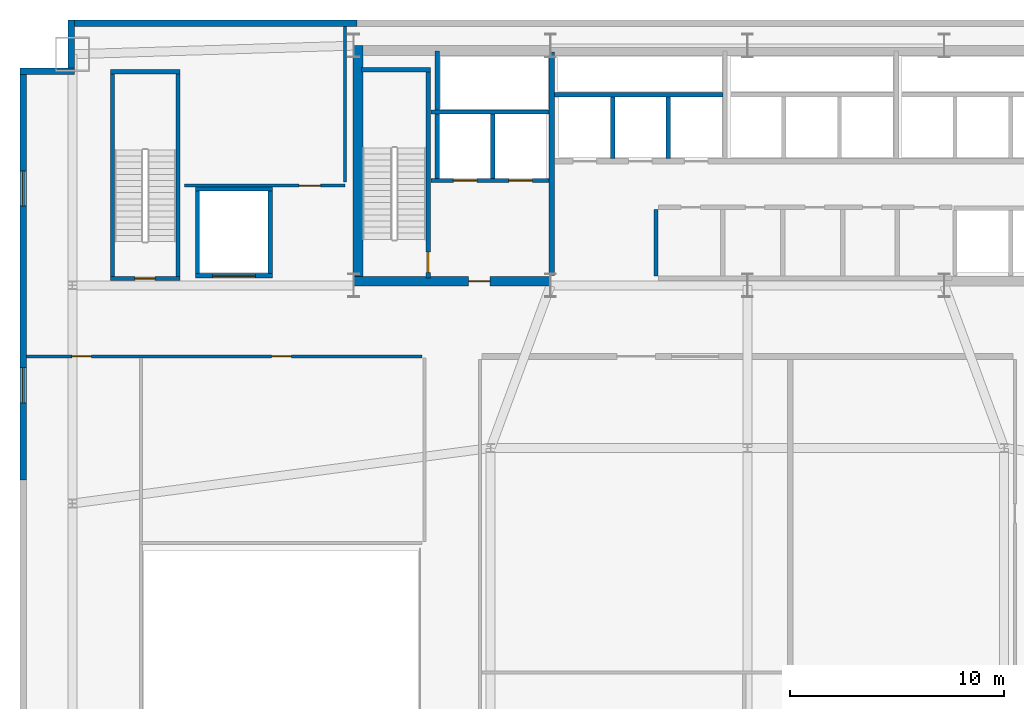
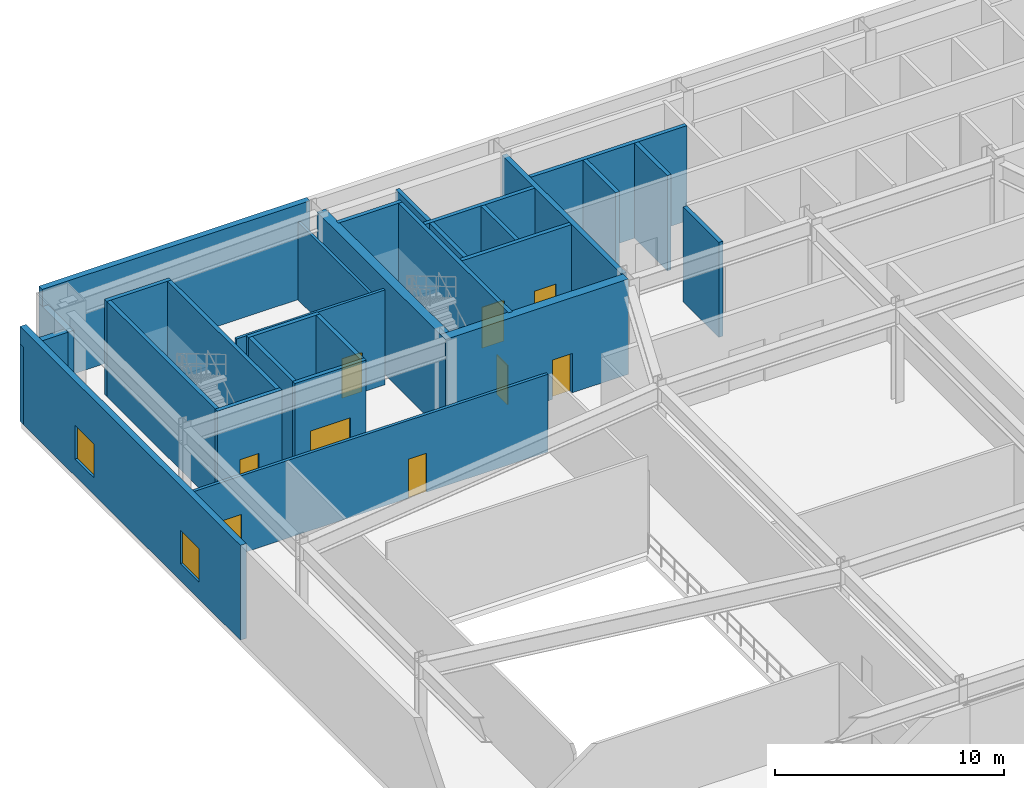
# One storey, part 9 of 13: 28 walls, 9 doors, 2 windows, 11 openings.
"""IFC4 building model written with IfcOpenShell, lengths in metres."""

from ifc_helpers import new_model, si_unit, direction, frame, frame_2d, origin, place, context, subcontext, project, spatial, rectangle, extrude, source, transform, mapped, material, layer, layer_set, type_object, type_shapes, element, fill, save


model = new_model("IFC4")

# Units and contexts
model_context = context("Model", 3, precision=1e-05, world=origin(), true_north=direction((0.0, 1.0)))
body_context = subcontext(model_context, "Body", "Model", "MODEL_VIEW")
ifc_project = project(units=[si_unit("LENGTHUNIT", "METRE"), si_unit("AREAUNIT", "SQUARE_METRE"), si_unit("VOLUMEUNIT", "CUBIC_METRE"), si_unit("PLANEANGLEUNIT", "RADIAN"), si_unit("MASSUNIT", "GRAM", prefix="KILO")], contexts=[model_context])

# Site, building, storey
site_placement = place(None, origin())
site = spatial("IfcSite", under=ifc_project, at=site_placement, CompositionType="ELEMENT")
building_placement = place(site_placement, origin())
building = spatial("IfcBuilding", under=site, at=building_placement, Name="Varnel Quay Broadcast Tower", CompositionType="ELEMENT")
storey_placement = place(building_placement, frame((0.0, 0.0, 16.800048828125)))
storey = spatial("IfcBuildingStorey", under=building, at=storey_placement, Name="L03", CompositionType="ELEMENT", Elevation=16.800048828125)

# Wall, opening, door
ifc_material_1 = material(Name="Concrete CSA A23.3 C50/60", Category="concrete")
ifc_layer_1 = layer(ifc_material_1, 0.199951171875, Name="Concrete CSA A23.3 C50/60")
ifc_layer_set_1 = layer_set([ifc_layer_1], Name="Concrete CSA A23.3 C50/60")
wall_type_1 = type_object("IfcWallType", Name="Wall_CoreShaftShear200", PredefinedType="SHEAR", material=ifc_layer_set_1)
wall_1_placement = place(storey_placement, frame((19.080078125, 35.949951171875, 0.0), z_axis=(0.0, 0.0, 1.0), x_axis=(0.0, 1.0, 0.0)))
wall_1 = element("IfcWall", 1, at=wall_1_placement, inside=storey, type_object=wall_type_1, Name="L03 Stair 1 East Structural Wall", PredefinedType="SHEAR", context=body_context, shape_type="SweptSolid", body=[
    extrude(rectangle(XDim=9.650146484375, YDim=0.199951171875, at=frame_2d((4.8251953125, 0.0))), origin(), (0.0, 0.0, 1.0), 5.079833984375),
])
opening_1_placement = place(wall_1_placement, frame((0.25, 0.0, 0.0)))
opening_1 = element("IfcOpeningElement", 2, at=opening_1_placement, cuts=wall_1, Name="Opening D-L03-S1", PredefinedType="OPENING", context=body_context, shape_type="SweptSolid", body=[
    extrude(rectangle(XDim=0.949951171875, YDim=2.10009765625, at=frame_2d((0.47509765625, 1.050048828125))), frame((0.0, 0.10986328125, 0.0), z_axis=(0.0, -1.0, 0.0), x_axis=(1.0, 0.0, 0.0)), (0.0, 0.0, 1.0), 0.219970703125),
])
ifc_material_2 = material(Name="Insulated Fire-Rated Hollow Steel Door", Category="steel")
door_type_1 = type_object("IfcDoorType", Name="Door_FireStair950", OperationType="NOTDEFINED", PredefinedType="DOOR", material=ifc_material_2)
shared_shape_1 = source(origin(), body_context, "Body", "SweptSolid", [
    extrude(rectangle(XDim=0.949951171875, YDim=2.10009765625, at=frame_2d((0.47509765625, 1.050048828125))), frame((0.0, 0.02490234375, 0.0), z_axis=(0.0, -1.0, 0.0), x_axis=(1.0, 0.0, 0.0)), (0.0, 0.0, 1.0), 0.050048828125),
])
type_shapes(door_type_1, [shared_shape_1])
door_1_placement = place(opening_1_placement, origin())
door_1 = element("IfcDoor", 3, at=door_1_placement, inside=storey, type_object=door_type_1, Name="L03 Stair 1 Fire Door", OperationType="SINGLE_SWING_RIGHT", OverallHeight=2.10009765625, OverallWidth=0.949951171875, PredefinedType="DOOR", context=body_context, shape_type="MappedRepresentation", body=[
    mapped(shared_shape_1, transform((0.0, 0.0, 0.0), x_axis=(1.0, 0.0, 0.0), y_axis=(0.0, 1.0, 0.0), z_axis=(0.0, 0.0, 1.0), scale=1.0)),
])
fill(opening_1, door_1)

# Wall
wall_2_placement = place(storey_placement, frame((15.949951171875, 45.679931640625, 0.0), z_axis=(0.0, 0.0, 1.0), x_axis=(1.0, 0.0, 0.0)))
element("IfcWall", 4, at=wall_2_placement, inside=storey, type_object=wall_type_1, Name="L03 Stair 1 North Structural Wall", PredefinedType="SHEAR", context=body_context, shape_type="SweptSolid", body=[
    extrude(rectangle(XDim=3.22998046875, YDim=0.199951171875, at=frame_2d((1.614990234375, 0.0))), origin(), (0.0, 0.0, 1.0), 5.079833984375),
])

# Wall, openings, doors
wall_3_placement = place(storey_placement, frame((19.199951171875, 40.5, 0.0), z_axis=(0.0, 0.0, 1.0), x_axis=(1.0, 0.0, 0.0)))
wall_3 = element("IfcWall", 5, at=wall_3_placement, inside=storey, type_object=wall_type_1, Name="L03 Firefighter Lift Shaft Front Wall", PredefinedType="SHEAR", context=body_context, shape_type="SweptSolid", body=[
    extrude(rectangle(XDim=5.52001953125, YDim=0.199951171875, at=frame_2d((2.760009765625, 0.0))), origin(), (0.0, 0.0, 1.0), 5.079833984375),
])
opening_2_placement = place(wall_3_placement, frame((1.050048828125, 0.0, 0.0)))
opening_2 = element("IfcOpeningElement", 6, at=opening_2_placement, cuts=wall_3, Name="Opening LD-L03-FE1", PredefinedType="OPENING", context=body_context, shape_type="SweptSolid", body=[
    extrude(rectangle(XDim=1.10009765625, YDim=2.179931640625, at=frame_2d((0.550048828125, 1.08984375))), frame((0.0, 0.10986328125, 0.0), z_axis=(0.0, -1.0, 0.0), x_axis=(1.0, 0.0, 0.0)), (0.0, 0.0, 1.0), 0.219970703125),
])
opening_3_placement = place(wall_3_placement, frame((3.64990234375, 0.0, 0.0)))
opening_3 = element("IfcOpeningElement", 7, at=opening_3_placement, cuts=wall_3, Name="Opening LD-L03-FE2", PredefinedType="OPENING", context=body_context, shape_type="SweptSolid", body=[
    extrude(rectangle(XDim=1.10009765625, YDim=2.179931640625, at=frame_2d((0.550048828125, 1.08984375))), frame((0.0, 0.10986328125, 0.0), z_axis=(0.0, -1.0, 0.0), x_axis=(1.0, 0.0, 0.0)), (0.0, 0.0, 1.0), 0.219970703125),
])
ifc_material_3 = material(Name="Brushed Bronze-Stainless Lift Car & Sliding Doors", Category="steel")
door_type_2 = type_object("IfcDoorType", Name="Door_LiftLanding1100", OperationType="SLIDING_TO_LEFT", PredefinedType="DOOR", material=ifc_material_3)
shared_shape_2 = source(origin(), body_context, "Body", "SweptSolid", [
    extrude(rectangle(XDim=1.10009765625, YDim=2.179931640625, at=frame_2d((0.550048828125, 1.08984375))), frame((0.0, 0.02490234375, 0.0), z_axis=(0.0, -1.0, 0.0), x_axis=(1.0, 0.0, 0.0)), (0.0, 0.0, 1.0), 0.050048828125),
])
type_shapes(door_type_2, [shared_shape_2])
door_2_placement = place(opening_2_placement, frame((1.10009765625, 0.0, 0.0), z_axis=(0.0, 0.0, 1.0), x_axis=(-1.0, 0.0, 0.0)))
door_2 = element("IfcDoor", 8, at=door_2_placement, inside=storey, type_object=door_type_2, Name="L03 Firefighter Lift FE-01 Landing Door", OperationType="SLIDING_TO_LEFT", OverallHeight=2.179931640625, OverallWidth=1.10009765625, PredefinedType="DOOR", context=body_context, shape_type="MappedRepresentation", body=[
    mapped(shared_shape_2, transform((0.0, 0.0, 0.0), x_axis=(1.0, 0.0, 0.0), y_axis=(0.0, 1.0, 0.0), z_axis=(0.0, 0.0, 1.0), scale=1.0)),
])
fill(opening_2, door_2)
door_3_placement = place(opening_3_placement, frame((1.10009765625, 0.0, 0.0), z_axis=(0.0, 0.0, 1.0), x_axis=(-1.0, 0.0, 0.0)))
door_3 = element("IfcDoor", 9, at=door_3_placement, inside=storey, type_object=door_type_2, Name="L03 Firefighter Lift FE-02 Landing Door", OperationType="SLIDING_TO_RIGHT", OverallHeight=2.179931640625, OverallWidth=1.10009765625, PredefinedType="DOOR", context=body_context, shape_type="MappedRepresentation", body=[
    mapped(shared_shape_2, transform((0.0, 0.0, 0.0), x_axis=(1.0, 0.0, 0.0), y_axis=(0.0, 1.0, 0.0), z_axis=(0.0, 0.0, 1.0), scale=1.0)),
])
fill(opening_3, door_3)

# Walls
wall_4_placement = place(storey_placement, frame((19.199951171875, 43.699951171875, 0.0), z_axis=(0.0, 0.0, 1.0), x_axis=(1.0, 0.0, 0.0)))
element("IfcWall", 10, at=wall_4_placement, inside=storey, type_object=wall_type_1, Name="L03 Firefighter Lift Shaft Rear Wall", PredefinedType="SHEAR", context=body_context, shape_type="SweptSolid", body=[
    extrude(rectangle(XDim=5.52001953125, YDim=0.199951171875, at=frame_2d((2.760009765625, 0.0))), origin(), (0.0, 0.0, 1.0), 5.079833984375),
])
wall_5_placement = place(storey_placement, frame((22.10009765625, 40.60009765625, 0.0), z_axis=(0.0, 0.0, 1.0), x_axis=(0.0, 1.0, 0.0)))
element("IfcWall", 11, at=wall_5_placement, inside=storey, type_object=wall_type_1, Name="L03 Firefighter Lift Shaft Divider", PredefinedType="SHEAR", context=body_context, shape_type="SweptSolid", body=[
    extrude(rectangle(XDim=3.0, YDim=0.199951171875, at=frame_2d((1.5, 0.0))), origin(), (0.0, 0.0, 1.0), 5.079833984375),
])
wall_6_placement = place(storey_placement, frame((19.5, 40.60009765625, 0.0), z_axis=(0.0, 0.0, 1.0), x_axis=(0.0, 1.0, 0.0)))
element("IfcWall", 12, at=wall_6_placement, inside=storey, type_object=wall_type_1, Name="L03 Firefighter Lift Shaft West Wall", PredefinedType="SHEAR", context=body_context, shape_type="SweptSolid", body=[
    extrude(rectangle(XDim=5.949951171875, YDim=0.199951171875, at=frame_2d((2.97509765625, 0.0))), origin(), (0.0, 0.0, 1.0), 5.079833984375),
])
wall_7_placement = place(storey_placement, frame((24.97998046875, 44.5, 0.0), z_axis=(0.0, 0.0, 1.0), x_axis=(1.0, 0.0, 0.0)))
element("IfcWall", 13, at=wall_7_placement, inside=storey, type_object=wall_type_1, Name="L03 Low-Rise Lift Shaft Rear Wall", PredefinedType="SHEAR", context=body_context, shape_type="SweptSolid", body=[
    extrude(rectangle(XDim=7.8701171875, YDim=0.199951171875, at=frame_2d((3.93505859375, 0.0))), origin(), (0.0, 0.0, 1.0), 5.079833984375),
])
for number, where, z_axis, x_axis, name in (
    (14, (27.699951171875, 41.530029296875, 0.0), (0.0, 0.0, 1.0), (0.0, 1.0, 0.0), "L03 Low-Rise Lift Shaft Divider 1"),
    (15, (30.300048828125, 41.530029296875, 0.0), (0.0, 0.0, 1.0), (0.0, 1.0, 0.0), "L03 Low-Rise Lift Shaft Divider 2"),
):
    element("IfcWall", number, at=place(storey_placement, frame(where, z_axis=z_axis, x_axis=x_axis)), inside=storey, type_object=wall_type_1, Name=name, PredefinedType="SHEAR", context=body_context, shape_type="SweptSolid", body=[
        extrude(rectangle(XDim=2.869873046875, YDim=0.199951171875, at=frame_2d((1.43505859375, 0.0))), origin(), (0.0, 0.0, 1.0), 5.079833984375),
    ])
for number, where, z_axis, x_axis, name in (
    (16, (4.320068359375, 36.0, 0.0), (0.0, 0.0, 1.0), (0.0, 1.0, 0.0), "L03 Podium Stair 3 W Structural Wall"),
    (17, (7.3798828125, 36.0, 0.0), (0.0, 0.0, 1.0), (0.0, 1.0, 0.0), "L03 Podium Stair 3 E Structural Wall"),
):
    element("IfcWall", number, at=place(storey_placement, frame(where, z_axis=z_axis, x_axis=x_axis)), inside=storey, type_object=wall_type_1, Name=name, PredefinedType="SHEAR", context=body_context, shape_type="SweptSolid", body=[
        extrude(rectangle(XDim=9.60009765625, YDim=0.199951171875, at=frame_2d((4.800048828125, 0.0))), origin(), (0.0, 0.0, 1.0), 5.079833984375),
    ])
wall_8_placement = place(storey_placement, frame((4.219970703125, 45.580078125, 0.0), z_axis=(0.0, 0.0, 1.0), x_axis=(1.0, 0.0, 0.0)))
element("IfcWall", 18, at=wall_8_placement, inside=storey, type_object=wall_type_1, Name="L03 Podium Stair 3 N Structural Wall", PredefinedType="SHEAR", context=body_context, shape_type="SweptSolid", body=[
    extrude(rectangle(XDim=3.260009765625, YDim=0.199951171875, at=frame_2d((1.6298828125, 0.0))), origin(), (0.0, 0.0, 1.0), 5.079833984375),
])

# Wall, opening, door
wall_9_placement = place(storey_placement, frame((4.219970703125, 35.919921875, 0.0), z_axis=(0.0, 0.0, 1.0), x_axis=(1.0, 0.0, 0.0)))
wall_9 = element("IfcWall", 19, at=wall_9_placement, inside=storey, type_object=wall_type_1, Name="L03 Podium Stair 3 South Structural Wall", PredefinedType="SHEAR", context=body_context, shape_type="SweptSolid", body=[
    extrude(rectangle(XDim=3.260009765625, YDim=0.199951171875, at=frame_2d((1.6298828125, 0.0))), origin(), (0.0, 0.0, 1.0), 5.079833984375),
])
opening_4_placement = place(wall_9_placement, frame((1.14990234375, 0.0, 0.0)))
opening_4 = element("IfcOpeningElement", 20, at=opening_4_placement, cuts=wall_9, Name="Opening D-L03-S3", PredefinedType="OPENING", context=body_context, shape_type="SweptSolid", body=[
    extrude(rectangle(XDim=0.949951171875, YDim=2.10009765625, at=frame_2d((0.47509765625, 1.050048828125))), frame((0.0, 0.10986328125, 0.0), z_axis=(0.0, -1.0, 0.0), x_axis=(1.0, 0.0, 0.0)), (0.0, 0.0, 1.0), 0.219970703125),
])
door_4_placement = place(opening_4_placement, origin())
door_4 = element("IfcDoor", 21, at=door_4_placement, inside=storey, type_object=door_type_1, Name="L03 Podium Stair 3 Fire Door", OperationType="SINGLE_SWING_LEFT", OverallHeight=2.10009765625, OverallWidth=0.949951171875, PredefinedType="DOOR", context=body_context, shape_type="MappedRepresentation", body=[
    mapped(shared_shape_1, transform((0.0, 0.0, 0.0), x_axis=(1.0, 0.0, 0.0), y_axis=(0.0, 1.0, 0.0), z_axis=(0.0, 0.0, 1.0), scale=1.0)),
])
fill(opening_4, door_4)

# Walls
for number, where, z_axis, x_axis, name in (
    (22, (8.300048828125, 36.14990234375, 0.0), (0.0, 0.0, 1.0), (0.0, 1.0, 0.0), "L03 Freight Lift Shaft W Wall"),
    (23, (11.699951171875, 36.14990234375, 0.0), (0.0, 0.0, 1.0), (0.0, 1.0, 0.0), "L03 Freight Lift Shaft E Wall"),
):
    element("IfcWall", number, at=place(storey_placement, frame(where, z_axis=z_axis, x_axis=x_axis)), inside=storey, type_object=wall_type_1, Name=name, PredefinedType="SHEAR", context=body_context, shape_type="SweptSolid", body=[
        extrude(rectangle(XDim=3.85009765625, YDim=0.199951171875, at=frame_2d((1.925048828125, 0.0))), origin(), (0.0, 0.0, 1.0), 5.079833984375),
    ])
wall_10_placement = place(storey_placement, frame((8.199951171875, 40.10009765625, 0.0), z_axis=(0.0, 0.0, 1.0), x_axis=(1.0, 0.0, 0.0)))
element("IfcWall", 24, at=wall_10_placement, inside=storey, type_object=wall_type_1, Name="L03 Freight Lift Shaft N Wall", PredefinedType="SHEAR", context=body_context, shape_type="SweptSolid", body=[
    extrude(rectangle(XDim=3.60009765625, YDim=0.199951171875, at=frame_2d((1.800048828125, 0.0))), origin(), (0.0, 0.0, 1.0), 5.079833984375),
])

# Wall, opening, door
wall_11_placement = place(storey_placement, frame((8.199951171875, 36.050048828125, 0.0), z_axis=(0.0, 0.0, 1.0), x_axis=(1.0, 0.0, 0.0)))
wall_11 = element("IfcWall", 25, at=wall_11_placement, inside=storey, type_object=wall_type_1, Name="L03 Studio Freight Lift Front Wall", PredefinedType="SHEAR", context=body_context, shape_type="SweptSolid", body=[
    extrude(rectangle(XDim=3.60009765625, YDim=0.199951171875, at=frame_2d((1.800048828125, 0.0))), origin(), (0.0, 0.0, 1.0), 5.079833984375),
])
opening_5_placement = place(wall_11_placement, frame((0.800048828125, 0.0, 0.0)))
opening_5 = element("IfcOpeningElement", 26, at=opening_5_placement, cuts=wall_11, Name="Opening LD-L03-BF1", PredefinedType="OPENING", context=body_context, shape_type="SweptSolid", body=[
    extrude(rectangle(XDim=2.0, YDim=2.280029296875, at=frame_2d((1.0, 1.14013671875))), frame((0.0, 0.10986328125, 0.0), z_axis=(0.0, -1.0, 0.0), x_axis=(1.0, 0.0, 0.0)), (0.0, 0.0, 1.0), 0.219970703125),
])
door_type_3 = type_object("IfcDoorType", Name="Door_FreightLanding2000", OperationType="DOUBLE_DOOR_SLIDING", PredefinedType="DOOR", material=ifc_material_3)
shared_shape_3 = source(origin(), body_context, "Body", "SweptSolid", [
    extrude(rectangle(XDim=2.0, YDim=2.280029296875, at=frame_2d((1.0, 1.14013671875))), frame((0.0, 0.02490234375, 0.0), z_axis=(0.0, -1.0, 0.0), x_axis=(1.0, 0.0, 0.0)), (0.0, 0.0, 1.0), 0.050048828125),
])
type_shapes(door_type_3, [shared_shape_3])
door_5_placement = place(opening_5_placement, frame((2.0, 0.0, 0.0), z_axis=(0.0, 0.0, 1.0), x_axis=(-1.0, 0.0, 0.0)))
door_5 = element("IfcDoor", 27, at=door_5_placement, inside=storey, type_object=door_type_3, Name="L03 Freight Lift BF-01 Landing Door", OperationType="DOUBLE_DOOR_SLIDING", OverallHeight=2.280029296875, OverallWidth=2.0, PredefinedType="DOOR", context=body_context, shape_type="MappedRepresentation", body=[
    mapped(shared_shape_3, transform((0.0, 0.0, 0.0), x_axis=(1.0, 0.0, 0.0), y_axis=(0.0, 1.0, 0.0), z_axis=(0.0, 0.0, 1.0), scale=1.0)),
])
fill(opening_5, door_5)

# Walls
ifc_layer_2 = layer(ifc_material_1, 0.25, Name="Concrete CSA A23.3 C50/60")
ifc_layer_set_2 = layer_set([ifc_layer_2], Name="Concrete CSA A23.3 C50/60")
wall_type_2 = type_object("IfcWallType", Name="Wall_CoreShaftShear250", PredefinedType="SHEAR", material=ifc_layer_set_2)
wall_12_placement = place(storey_placement, frame((24.85009765625, 36.050048828125, 0.0), z_axis=(0.0, 0.0, 1.0), x_axis=(0.0, 1.0, 0.0)))
element("IfcWall", 28, at=wall_12_placement, inside=storey, type_object=wall_type_2, Name="L03 Firefighting Lobby East Structural Wall", PredefinedType="SHEAR", context=body_context, shape_type="SweptSolid", body=[
    extrude(rectangle(XDim=10.449951171875, YDim=0.25, at=frame_2d((5.22509765625, 0.0))), origin(), (0.0, 0.0, 1.0), 5.079833984375),
])
ifc_material_4 = material(Name="Concrete CSA A23.3 C60/75", Category="concrete")
ifc_layer_3 = layer(ifc_material_4, 0.449951171875, Name="Concrete CSA A23.3 C60/75")
ifc_layer_set_3 = layer_set([ifc_layer_3], Name="Concrete CSA A23.3 C60/75")
wall_type_3 = type_object("IfcWallType", Name="Wall_CoreShearInt450", PredefinedType="SHEAR", material=ifc_layer_set_3)
wall_13_placement = place(storey_placement, frame((15.794921875, 35.570068359375, 0.0), z_axis=(0.0, 0.0, 1.0), x_axis=(0.0, 1.0, 0.0)))
element("IfcWall", 29, at=wall_13_placement, inside=storey, type_object=wall_type_3, Name="L03 West Core Shear Wall", PredefinedType="SHEAR", context=body_context, shape_type="SweptSolid", body=[
    extrude(rectangle(XDim=11.22998046875, YDim=0.449951171875, at=frame_2d((5.614990234375, 0.0))), origin(), (0.0, 0.0, 1.0), 5.079833984375),
])

# Wall, opening, door
wall_14_placement = place(storey_placement, frame((15.570068359375, 35.794921875, 0.0), z_axis=(0.0, 0.0, 1.0), x_axis=(1.0, 0.0, 0.0)))
wall_14 = element("IfcWall", 30, at=wall_14_placement, inside=storey, type_object=wall_type_3, Name="L03 South-West Core Shear Wall", PredefinedType="SHEAR", context=body_context, shape_type="SweptSolid", body=[
    extrude(rectangle(XDim=9.22998046875, YDim=0.449951171875, at=frame_2d((4.614990234375, 0.0))), origin(), (0.0, 0.0, 1.0), 5.079833984375),
])
opening_6_placement = place(wall_14_placement, frame((5.39990234375, 0.0, 0.0)))
opening_6 = element("IfcOpeningElement", 31, at=opening_6_placement, cuts=wall_14, Name="Opening D-L03-FFL", PredefinedType="OPENING", context=body_context, shape_type="SweptSolid", body=[
    extrude(rectangle(XDim=1.0, YDim=2.10009765625, at=frame_2d((0.5, 1.050048828125))), frame((0.0, 0.23486328125, 0.0), z_axis=(0.0, -1.0, 0.0), x_axis=(1.0, 0.0, 0.0)), (0.0, 0.0, 1.0), 0.469970703125),
])
door_type_4 = type_object("IfcDoorType", Name="Door_FireLobby1000", OperationType="NOTDEFINED", PredefinedType="DOOR", material=ifc_material_2)
shared_shape_4 = source(origin(), body_context, "Body", "SweptSolid", [
    extrude(rectangle(XDim=1.0, YDim=2.10009765625, at=frame_2d((0.5, 1.050048828125))), frame((0.0, 0.02490234375, 0.0), z_axis=(0.0, -1.0, 0.0), x_axis=(1.0, 0.0, 0.0)), (0.0, 0.0, 1.0), 0.050048828125),
])
type_shapes(door_type_4, [shared_shape_4])
door_6_placement = place(opening_6_placement, origin())
door_6 = element("IfcDoor", 32, at=door_6_placement, inside=storey, type_object=door_type_4, Name="L03 Firefighting Lobby Door", OperationType="SINGLE_SWING_LEFT", OverallHeight=2.10009765625, OverallWidth=1.0, PredefinedType="DOOR", context=body_context, shape_type="MappedRepresentation", body=[
    mapped(shared_shape_4, transform((0.0, 0.0, 0.0), x_axis=(1.0, 0.0, 0.0), y_axis=(0.0, 1.0, 0.0), z_axis=(0.0, 0.0, 1.0), scale=1.0)),
])
fill(opening_6, door_6)

# Wall
ifc_material_5 = material(Name="Precast Architectural Concrete C40/50", Category="concrete")
ifc_layer_4 = layer(ifc_material_5, 0.300048828125, Name="Precast Architectural Concrete C40/50")
ifc_layer_set_4 = layer_set([ifc_layer_4], Name="Precast Architectural Concrete C40/50")
wall_type_4 = type_object("IfcWallType", Name="Wall_ExtPodium300", PredefinedType="SOLIDWALL", material=ifc_layer_set_4)
wall_15_placement = place(storey_placement, frame((2.25, 47.85009765625, 0.0), z_axis=(0.0, 0.0, 1.0), x_axis=(1.0, 0.0, 0.0)))
element("IfcWall", 33, at=wall_15_placement, inside=storey, type_object=wall_type_4, Name="L03 North Podium Exterior Wall NW", PredefinedType="SOLIDWALL", context=body_context, shape_type="SweptSolid", body=[
    extrude(rectangle(XDim=13.5, YDim=0.300048828125, at=frame_2d((6.75, 0.0))), origin(), (0.0, 0.0, 1.0), 5.06005859375),
])

# Wall, openings, windows
wall_16_placement = place(storey_placement, frame((0.14990234375, 26.5, 0.0), z_axis=(0.0, 0.0, 1.0), x_axis=(0.0, 1.0, 0.0)))
wall_16 = element("IfcWall", 34, at=wall_16_placement, inside=storey, type_object=wall_type_4, Name="L03 Podium Acoustic Exterior Wall W2", PredefinedType="SOLIDWALL", context=body_context, shape_type="SweptSolid", body=[
    extrude(rectangle(XDim=19.25, YDim=0.300048828125, at=frame_2d((9.625, 0.0))), origin(), (0.0, 0.0, 1.0), 5.06005859375),
])
opening_7_placement = place(wall_16_placement, frame((3.60009765625, 0.0, 0.89990234375)))
opening_7 = element("IfcOpeningElement", 35, at=opening_7_placement, cuts=wall_16, Name="Opening W-05", PredefinedType="OPENING", context=body_context, shape_type="SweptSolid", body=[
    extrude(rectangle(XDim=1.64990234375, YDim=1.800048828125, at=frame_2d((0.824951171875, 0.89990234375))), frame((0.0, 0.16015625, 0.0), z_axis=(0.0, -1.0, 0.0), x_axis=(1.0, 0.0, 0.0)), (0.0, 0.0, 1.0), 0.320068359375),
])
opening_8_placement = place(wall_16_placement, frame((12.800048828125, 0.0, 0.89990234375)))
opening_8 = element("IfcOpeningElement", 36, at=opening_8_placement, cuts=wall_16, Name="Opening W-05", PredefinedType="OPENING", context=body_context, shape_type="SweptSolid", body=[
    extrude(rectangle(XDim=1.64990234375, YDim=1.800048828125, at=frame_2d((0.824951171875, 0.89990234375))), frame((0.0, 0.16015625, 0.0), z_axis=(0.0, -1.0, 0.0), x_axis=(1.0, 0.0, 0.0)), (0.0, 0.0, 1.0), 0.320068359375),
])
ifc_material_6 = material(Name="Triple-Glazed Bronze Low-E Architectural Glass", Category="glass")
window_type = type_object("IfcWindowType", Name="Win_PodiumStudio1650", PartitioningType="SINGLE_PANEL", PredefinedType="WINDOW", material=ifc_material_6)
shared_shape_5 = source(origin(), body_context, "Body", "SweptSolid", [
    extrude(rectangle(XDim=1.64990234375, YDim=1.800048828125, at=frame_2d((0.824951171875, 0.89990234375))), frame((0.0, 0.030029296875, 0.0), z_axis=(0.0, -1.0, 0.0), x_axis=(1.0, 0.0, 0.0)), (0.0, 0.0, 1.0), 0.06005859375),
])
type_shapes(window_type, [shared_shape_5])
window_1_placement = place(opening_7_placement, origin())
window_1 = element("IfcWindow", 37, at=window_1_placement, inside=storey, type_object=window_type, Name="L03 Podium Window W2-1", OverallHeight=1.800048828125, OverallWidth=1.64990234375, PartitioningType="SINGLE_PANEL", PredefinedType="WINDOW", context=body_context, shape_type="MappedRepresentation", body=[
    mapped(shared_shape_5, transform((0.0, 0.0, 0.0), x_axis=(1.0, 0.0, 0.0), y_axis=(0.0, 1.0, 0.0), z_axis=(0.0, 0.0, 1.0), scale=1.0)),
])
fill(opening_7, window_1)
window_2_placement = place(opening_8_placement, origin())
window_2 = element("IfcWindow", 38, at=window_2_placement, inside=storey, type_object=window_type, Name="L03 Podium Window W2-2", OverallHeight=1.800048828125, OverallWidth=1.64990234375, PartitioningType="SINGLE_PANEL", PredefinedType="WINDOW", context=body_context, shape_type="MappedRepresentation", body=[
    mapped(shared_shape_5, transform((0.0, 0.0, 0.0), x_axis=(1.0, 0.0, 0.0), y_axis=(0.0, 1.0, 0.0), z_axis=(0.0, 0.0, 1.0), scale=1.0)),
])
fill(opening_8, window_2)

# Walls
for number, where, z_axis, x_axis, name in (
    (39, (0.0, 45.60009765625, 0.0), (0.0, 0.0, 1.0), (1.0, 0.0, 0.0), "L03 Podium Acoustic Exterior Wall NNW1"),
    (40, (2.39990234375, 45.449951171875, 0.0), (0.0, 0.0, 1.0), (0.0, 1.0, 0.0), "L03 Podium Acoustic Exterior Wall NNW2"),
):
    element("IfcWall", number, at=place(storey_placement, frame(where, z_axis=z_axis, x_axis=x_axis)), inside=storey, type_object=wall_type_4, Name=name, PredefinedType="SOLIDWALL", context=body_context, shape_type="SweptSolid", body=[
        extrude(rectangle(XDim=2.550048828125, YDim=0.300048828125, at=frame_2d((1.27490234375, 0.0))), origin(), (0.0, 0.0, 1.0), 4.14306640625),
    ])

# Wall, opening, door
ifc_material_7 = material(Name="Steel-Stud Fire-Rated Acoustic Gypsum Partition Assembly", Category="steel")
ifc_layer_5 = layer(ifc_material_7, 0.139892578125, Name="Steel-Stud Fire-Rated Acoustic Gypsum Partition Assembly")
ifc_layer_set_5 = layer_set([ifc_layer_5], Name="Steel-Stud Fire-Rated Acoustic Gypsum Partition Assembly")
wall_type_5 = type_object("IfcWallType", Name="Wall_Partition140", PredefinedType="PARTITIONING", material=ifc_layer_set_5)
wall_17_placement = place(storey_placement, frame((7.699951171875, 40.260009765625, 0.0), z_axis=(0.0, 0.0, 1.0), x_axis=(1.0, 0.0, 0.0)))
wall_17 = element("IfcWall", 41, at=wall_17_placement, inside=storey, type_object=wall_type_5, Name="L03 North-West Cast Green Lounge Partition 28", PredefinedType="PARTITIONING", context=body_context, shape_type="SweptSolid", body=[
    extrude(rectangle(XDim=7.5, YDim=0.139892578125, at=frame_2d((3.75, 0.0))), origin(), (0.0, 0.0, 1.0), 5.06005859375),
])
opening_9_placement = place(wall_17_placement, frame((5.35009765625, 0.0, 0.0)))
opening_9 = element("IfcOpeningElement", 42, at=opening_9_placement, cuts=wall_17, Name="Opening D-L03-16", PredefinedType="OPENING", context=body_context, shape_type="SweptSolid", body=[
    extrude(rectangle(XDim=1.0, YDim=2.10009765625, at=frame_2d((0.5, 1.050048828125))), frame((0.0, 0.080078125, 0.0), z_axis=(0.0, -1.0, 0.0), x_axis=(1.0, 0.0, 0.0)), (0.0, 0.0, 1.0), 0.159912109375),
])
ifc_material_8 = material(Name="Solid-Core Fire-Rated Acoustic Oak Veneer Door", Category="wood")
door_type_5 = type_object("IfcDoorType", Name="Door_Exec1000", OperationType="NOTDEFINED", PredefinedType="DOOR", material=ifc_material_8)
shared_shape_6 = source(origin(), body_context, "Body", "SweptSolid", [
    extrude(rectangle(XDim=1.0, YDim=2.10009765625, at=frame_2d((0.5, 1.050048828125))), frame((0.0, 0.02490234375, 0.0), z_axis=(0.0, -1.0, 0.0), x_axis=(1.0, 0.0, 0.0)), (0.0, 0.0, 1.0), 0.050048828125),
])
type_shapes(door_type_5, [shared_shape_6])
door_7_placement = place(opening_9_placement, origin())
door_7 = element("IfcDoor", 43, at=door_7_placement, inside=storey, type_object=door_type_5, Name="L03 North-West Cast Green Lounge Door D-L03-16", OperationType="SINGLE_SWING_RIGHT", OverallHeight=2.10009765625, OverallWidth=1.0, PredefinedType="DOOR", context=body_context, shape_type="MappedRepresentation", body=[
    mapped(shared_shape_6, transform((0.0, 0.0, 0.0), x_axis=(1.0, 0.0, 0.0), y_axis=(0.0, 1.0, 0.0), z_axis=(0.0, 0.0, 1.0), scale=1.0)),
])
fill(opening_9, door_7)

# Wall
wall_18_placement = place(storey_placement, frame((15.199951171875, 40.419921875, 0.0), z_axis=(0.0, 0.0, 1.0), x_axis=(0.0, 1.0, 0.0)))
element("IfcWall", 44, at=wall_18_placement, inside=storey, type_object=wall_type_5, Name="L03 North-West Cast Green Lounge Partition 29", PredefinedType="PARTITIONING", context=body_context, shape_type="SweptSolid", body=[
    extrude(rectangle(XDim=7.27001953125, YDim=0.139892578125, at=frame_2d((3.635009765625, 0.0))), origin(), (0.0, 0.0, 1.0), 4.14306640625),
])

# Wall, openings, doors
ifc_layer_6 = layer(ifc_material_7, 0.14990234375, Name="Steel-Stud Fire-Rated Acoustic Gypsum Partition Assembly")
ifc_layer_set_6 = layer_set([ifc_layer_6], Name="Steel-Stud Fire-Rated Acoustic Gypsum Partition Assembly")
wall_type_6 = type_object("IfcWallType", Name="Wall_Partition150", PredefinedType="PARTITIONING", material=ifc_layer_set_6)
wall_19_placement = place(storey_placement, frame((0.31005859375, 32.27490234375, 0.0), z_axis=(0.0, 0.0, 1.0), x_axis=(1.0, 0.0, 0.0)))
wall_19 = element("IfcWall", 45, at=wall_19_placement, inside=storey, type_object=wall_type_6, Name="L03 North-West Foley Control Office Partition 22", PredefinedType="PARTITIONING", context=body_context, shape_type="SweptSolid", body=[
    extrude(rectangle(XDim=18.489990234375, YDim=0.14990234375, at=frame_2d((9.2451171875, 0.0))), origin(), (0.0, 0.0, 1.0), 4.14306640625),
])
opening_10_placement = place(wall_19_placement, frame((11.455078125, 0.0, 0.0)))
opening_10 = element("IfcOpeningElement", 46, at=opening_10_placement, cuts=wall_19, Name="Opening D-L03-12", PredefinedType="OPENING", context=body_context, shape_type="SweptSolid", body=[
    extrude(rectangle(XDim=0.919921875, YDim=2.080078125, at=frame_2d((0.4599609375, 1.0400390625))), frame((0.0, 0.0849609375, 0.0), z_axis=(0.0, -1.0, 0.0), x_axis=(1.0, 0.0, 0.0)), (0.0, 0.0, 1.0), 0.169921875),
])
opening_11_placement = place(wall_19_placement, frame((2.110107421875, 0.0, 0.0)))
opening_11 = element("IfcOpeningElement", 47, at=opening_11_placement, cuts=wall_19, Name="Opening D-L03-14", PredefinedType="OPENING", context=body_context, shape_type="SweptSolid", body=[
    extrude(rectangle(XDim=0.919921875, YDim=2.080078125, at=frame_2d((0.4599609375, 1.0400390625))), frame((0.0, 0.0849609375, 0.0), z_axis=(0.0, -1.0, 0.0), x_axis=(1.0, 0.0, 0.0)), (0.0, 0.0, 1.0), 0.169921875),
])
door_type_6 = type_object("IfcDoorType", Name="Door_Office920", OperationType="NOTDEFINED", PredefinedType="DOOR", material=ifc_material_8)
shared_shape_7 = source(origin(), body_context, "Body", "SweptSolid", [
    extrude(rectangle(XDim=0.919921875, YDim=2.080078125, at=frame_2d((0.4599609375, 1.0400390625))), frame((0.0, 0.02490234375, 0.0), z_axis=(0.0, -1.0, 0.0), x_axis=(1.0, 0.0, 0.0)), (0.0, 0.0, 1.0), 0.050048828125),
])
type_shapes(door_type_6, [shared_shape_7])
door_8_placement = place(opening_10_placement, frame((0.919921875, 0.0, 0.0), z_axis=(0.0, 0.0, 1.0), x_axis=(-1.0, 0.0, 0.0)))
door_8 = element("IfcDoor", 48, at=door_8_placement, inside=storey, type_object=door_type_6, Name="L03 North-West Foley Control Office Door D-L03-12", OperationType="SINGLE_SWING_RIGHT", OverallHeight=2.080078125, OverallWidth=0.919921875, PredefinedType="DOOR", context=body_context, shape_type="MappedRepresentation", body=[
    mapped(shared_shape_7, transform((0.0, 0.0, 0.0), x_axis=(1.0, 0.0, 0.0), y_axis=(0.0, 1.0, 0.0), z_axis=(0.0, 0.0, 1.0), scale=1.0)),
])
fill(opening_10, door_8)
door_9_placement = place(opening_11_placement, frame((0.919921875, 0.0, 0.0), z_axis=(0.0, 0.0, 1.0), x_axis=(-1.0, 0.0, 0.0)))
door_9 = element("IfcDoor", 49, at=door_9_placement, inside=storey, type_object=door_type_6, Name="L03 West Audio Mastering Office Door D-L03-14", OperationType="SINGLE_SWING_LEFT", OverallHeight=2.080078125, OverallWidth=0.919921875, PredefinedType="DOOR", context=body_context, shape_type="MappedRepresentation", body=[
    mapped(shared_shape_7, transform((0.0, 0.0, 0.0), x_axis=(1.0, 0.0, 0.0), y_axis=(0.0, 1.0, 0.0), z_axis=(0.0, 0.0, 1.0), scale=1.0)),
])
fill(opening_11, door_9)

# Wall
ifc_material_9 = material(Name="Fire-Rated Moisture-Resistant Plumbing Chase Partition")
ifc_layer_7 = layer(ifc_material_9, 0.199951171875, Name="Fire-Rated Moisture-Resistant Plumbing Chase Partition")
ifc_layer_set_7 = layer_set([ifc_layer_7], Name="Fire-Rated Moisture-Resistant Plumbing Chase Partition")
wall_type_7 = type_object("IfcWallType", Name="Wall_Plumbing200", PredefinedType="PLUMBINGWALL", material=ifc_layer_set_7)
wall_20_placement = place(storey_placement, frame((29.72509765625, 36.02490234375, 0.0), z_axis=(0.0, 0.0, 1.0), x_axis=(0.0, 1.0, 0.0)))
element("IfcWall", 50, at=wall_20_placement, inside=storey, type_object=wall_type_7, Name="L03 Accessible Washroom Partition 4", PredefinedType="PLUMBINGWALL", context=body_context, shape_type="SweptSolid", body=[
    extrude(rectangle(XDim=3.125, YDim=0.199951171875, at=frame_2d((1.5625, 0.0))), origin(), (0.0, 0.0, 1.0), 5.06005859375),
])

save(model, "model.ifc")
